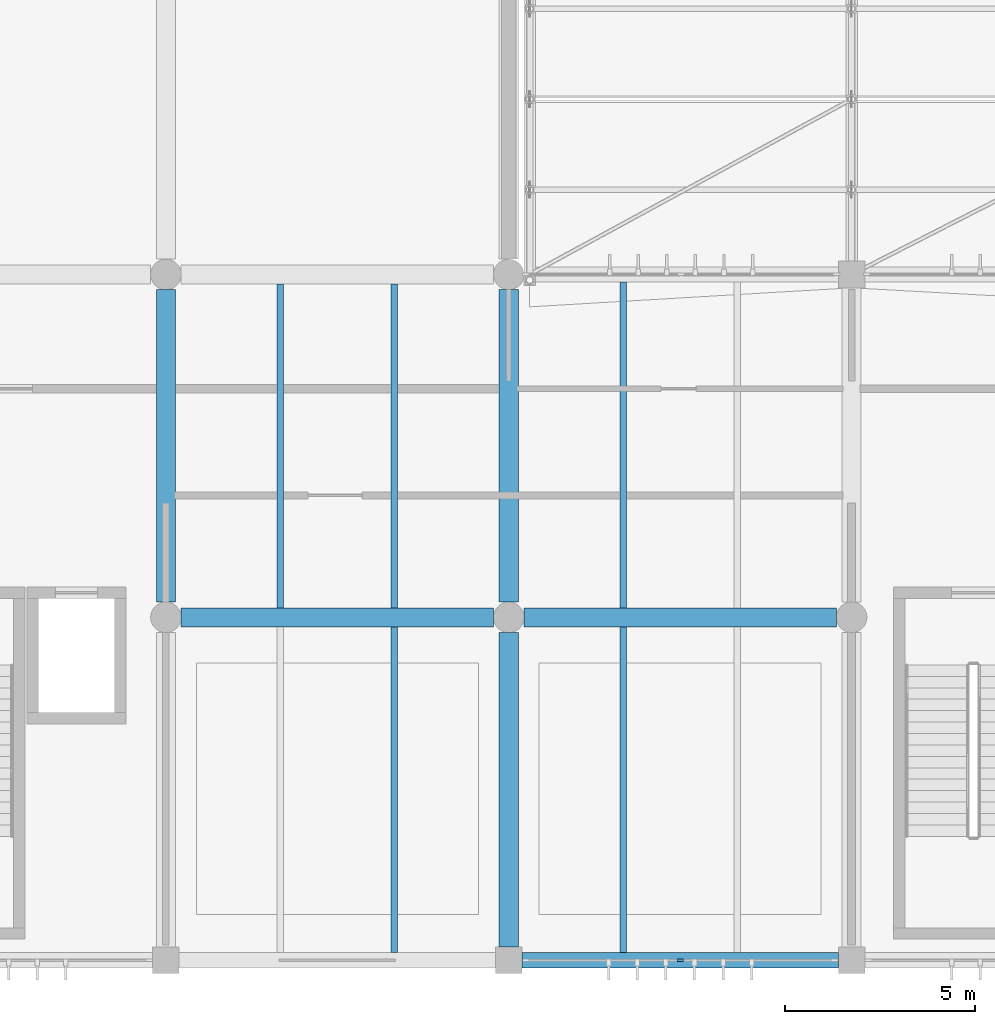
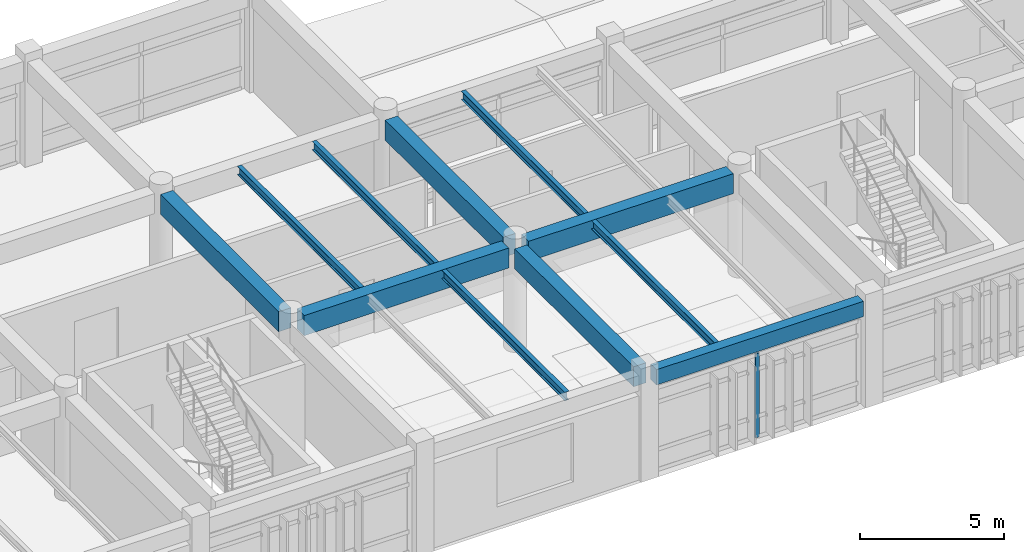
# One storey, part 14 of 90: 11 beams, 1 member, 1 element without a shape of its own.
"""IFC4 building model written with IfcOpenShell, lengths in metres."""

import ifcopenshell
import ifcopenshell.guid

model = None  # the IFC model being written
_history = None  # IfcOwnerHistory: only IFC2X3 demands one
_inside = {}  # id of a spatial element -> (the spatial element, [elements in it])
_under = {}  # id of a project, library or spatial element -> (it, [spatial elements below it])
_declared = {}  # id of a project -> (the project, [libraries it declares])
_typed = {}  # id of a type object -> (the type object, [elements of that type])
_made_of = {}  # id of a material, layer set ... -> (it, [elements and type objects made of it])


def new_model(schema):
    """Start an empty IFC model of exactly this schema.

    Asked for "IFC4X3", IfcOpenShell would pick the latest addendum, in which some entities
    have other attributes; the version numbers below select the first issue.
    IFC2X3 requires an IfcOwnerHistory on every rooted entity: one is made here for all.
    """
    global model, _history
    if schema == "IFC4X3":
        model = ifcopenshell.file(schema_version=(4, 3, 0, 0))
    else:
        model = ifcopenshell.file(schema=schema)
    _inside.clear()
    _under.clear()
    _declared.clear()
    _typed.clear()
    _made_of.clear()
    _history = None
    if model.schema == "IFC2X3":
        org = make("IfcOrganization", Name="unknown")
        user = make(
            "IfcPersonAndOrganization",
            ThePerson=make("IfcPerson", FamilyName="unknown"),
            TheOrganization=org,
        )
        app = make(
            "IfcApplication",
            ApplicationDeveloper=org,
            Version="unknown",
            ApplicationFullName="unknown",
            ApplicationIdentifier="unknown",
        )
        _history = make(
            "IfcOwnerHistory",
            OwningUser=user,
            OwningApplication=app,
            ChangeAction="ADDED",
            CreationDate=0,
        )
    return model


def make(cls, **values):
    """One entity of the class cls with the attributes given. An attribute that is None is left unset."""
    return model.create_entity(
        cls, **{name: value for name, value in values.items() if value is not None}
    )


def rooted(cls, **values):
    """An entity with a GlobalId (a new one), such as an element, a storey or a relation."""
    return make(cls, GlobalId=ifcopenshell.guid.new(), OwnerHistory=_history, **values)


def si_unit(unit_type, name, prefix=None):
    """IfcSIUnit, for example si_unit("LENGTHUNIT", "METRE", prefix="MILLI")."""
    return make("IfcSIUnit", UnitType=unit_type, Prefix=prefix, Name=name)


def assignment(units):
    """IfcUnitAssignment: the units of a project."""
    return None if units is None else make("IfcUnitAssignment", Units=units)


def point(xyz):
    """IfcCartesianPoint."""
    return None if xyz is None else make("IfcCartesianPoint", Coordinates=xyz)


def direction(xyz):
    """IfcDirection."""
    return None if xyz is None else make("IfcDirection", DirectionRatios=xyz)


def frame(location, z_axis=None, x_axis=None):
    """IfcAxis2Placement3D, a coordinate frame: its origin and axes. An axis left out is left unset."""
    return make(
        "IfcAxis2Placement3D",
        Location=point(location),
        Axis=direction(z_axis),
        RefDirection=direction(x_axis),
    )


def frame_2d(location, x_axis=None):
    """IfcAxis2Placement2D, a coordinate frame in the plane: its origin and x axis."""
    return make(
        "IfcAxis2Placement2D", Location=point(location), RefDirection=direction(x_axis)
    )


def origin():
    """The frame at (0, 0, 0) with its axes left unset."""
    return frame((0.0, 0.0, 0.0))


def origin_2d():
    """The frame at (0, 0) in the plane with its x axis left unset."""
    return frame_2d((0.0, 0.0))


def place(relative_to, where):
    """IfcLocalPlacement: puts the frame where relative to a parent placement (None: the world)."""
    return make(
        "IfcLocalPlacement", PlacementRelTo=relative_to, RelativePlacement=where
    )


def context(
    kind, dimensions, precision=None, world=None, true_north=None, identifier=None
):
    """IfcGeometricRepresentationContext, for example the 3D "Model" context."""
    return make(
        "IfcGeometricRepresentationContext",
        ContextIdentifier=identifier,
        ContextType=kind,
        CoordinateSpaceDimension=dimensions,
        Precision=precision,
        WorldCoordinateSystem=world,
        TrueNorth=true_north,
    )


def subcontext(parent, identifier, kind, view, scale=None):
    """IfcGeometricRepresentationSubContext, for example "Body" below "Model"."""
    return make(
        "IfcGeometricRepresentationSubContext",
        ContextIdentifier=identifier,
        ContextType=kind,
        ParentContext=parent,
        TargetScale=scale,
        TargetView=view,
    )


def project(units=None, contexts=None):
    """IfcProject with its units and contexts."""
    return rooted(
        "IfcProject",
        Name="project",
        RepresentationContexts=contexts,
        UnitsInContext=assignment(units),
    )


def spatial(cls, under=None, at=None, **own):
    """A site, building, storey or space (cls), placed at a placement, below another one or the project."""
    s = rooted(cls, ObjectPlacement=at, **own)
    if under is not None:
        _under.setdefault(under.id(), (under, []))[1].append(s)
    return s


def profile(cls, at=None, kind="AREA", **sizes):
    """A parametric profile (cls). Its sizes go by their IFC names, for example OverallWidth=200.0."""
    return make(cls, ProfileType=kind, Position=at, **sizes)


def rectangle(**sizes):
    """IfcRectangleProfileDef."""
    return profile("IfcRectangleProfileDef", **sizes)


def i_section(**sizes):
    """IfcIShapeProfileDef."""
    return profile("IfcIShapeProfileDef", **sizes)


def extrude(swept, where, along, depth):
    """IfcExtrudedAreaSolid: the profile swept, set in the frame where, extruded along a direction by depth."""
    return make(
        "IfcExtrudedAreaSolid",
        SweptArea=swept,
        Position=where,
        ExtrudedDirection=direction(along),
        Depth=depth,
    )


def shape(context_of_items, identifier, shape_type, items):
    """IfcShapeRepresentation: the items that make up one representation, for example the "Body"."""
    return make(
        "IfcShapeRepresentation",
        ContextOfItems=context_of_items,
        RepresentationIdentifier=identifier,
        RepresentationType=shape_type,
        Items=items,
    )


def material(Name=None, Category=None):
    """IfcMaterial."""
    return make("IfcMaterial", Name=Name, Category=Category)


def material_profile(
    of_material, cross_section, Name=None, Category=None, Priority=None
):
    """IfcMaterialProfile: a cross section and its material."""
    return make(
        "IfcMaterialProfile",
        Name=Name,
        Material=of_material,
        Profile=cross_section,
        Priority=Priority,
        Category=Category,
    )


def profile_set(profiles, Name=None, composite=None):
    """IfcMaterialProfileSet."""
    return make(
        "IfcMaterialProfileSet",
        Name=Name,
        MaterialProfiles=profiles,
        CompositeProfile=composite,
    )


def made_of(thing, what):
    """Note that an element or type object is made of a material, layer set ...; save() writes the relation."""
    if what is not None:
        _made_of.setdefault(what.id(), (what, []))[1].append(thing)
    return thing


def type_object(cls, material=None, **own):
    """A type object (cls), such as IfcWallType, which elements share."""
    return made_of(rooted(cls, **own), material)


def element(
    cls,
    number,
    at=None,
    inside=None,
    cuts=None,
    type_object=None,
    material=None,
    context=None,
    identifier="Body",
    shape_type=None,
    held_by="IfcProductDefinitionShape",
    body=None,
    shapes=None,
    **own,
):
    """One element of the class cls, such as IfcWall. Its Tag is "e" and its number.

    at: its placement. inside: the storey or other place that contains it. cuts: it is an
    opening in that element (IfcRelVoidsElement). A single representation is given by context,
    identifier, shape_type and body (its items); several are given by shapes. held_by: the class
    of the entity that holds the representations. save() writes the other relations.
    """
    e = rooted(cls, Tag="e%d" % number, ObjectPlacement=at, **own)
    if body is not None:
        shapes = [shape(context, identifier, shape_type, body)]
    if shapes is not None:
        e.Representation = make(held_by, Representations=shapes)
    if inside is not None:
        _inside.setdefault(inside.id(), (inside, []))[1].append(e)
    if cuts is not None:
        rooted(
            "IfcRelVoidsElement", RelatingBuildingElement=cuts, RelatedOpeningElement=e
        )
    if type_object is not None:
        _typed.setdefault(type_object.id(), (type_object, []))[1].append(e)
    return made_of(e, material)


def aggregate(whole, parts):
    """IfcRelAggregates: a whole, such as a stair, and the parts it consists of."""
    return rooted("IfcRelAggregates", RelatingObject=whole, RelatedObjects=parts)


def save(model, path):
    """Write the relations noted so far, then the file.

    IfcRelAggregates (storeys below a building ...), IfcRelContainedInSpatialStructure (elements
    in a storey), IfcRelDefinesByType, IfcRelAssociatesMaterial and IfcRelDeclares: one each for
    every whole, place, type object, material and project.
    """
    for whole, parts in _under.values():
        aggregate(whole, parts)
    for where, things in _inside.values():
        rooted(
            "IfcRelContainedInSpatialStructure",
            RelatedElements=things,
            RelatingStructure=where,
        )
    for kind, things in _typed.values():
        rooted("IfcRelDefinesByType", RelatedObjects=things, RelatingType=kind)
    for what, things in _made_of.values():
        rooted("IfcRelAssociatesMaterial", RelatedObjects=things, RelatingMaterial=what)
    for by, libraries in _declared.values():
        rooted("IfcRelDeclares", RelatingContext=by, RelatedDefinitions=libraries)
    model.write(path)


model = new_model("IFC4")

# Units and contexts
model_context = context("Model", 3, precision=1e-05, world=origin(), true_north=direction((0.0, 1.0)))
body_context = subcontext(model_context, "Body", "Model", "MODEL_VIEW")
ifc_project = project(units=[si_unit("LENGTHUNIT", "METRE"), si_unit("AREAUNIT", "SQUARE_METRE"), si_unit("VOLUMEUNIT", "CUBIC_METRE"), si_unit("PLANEANGLEUNIT", "RADIAN"), si_unit("MASSUNIT", "GRAM", prefix="KILO")], contexts=[model_context])

# Site, building, storey
site_placement = place(None, origin())
site = spatial("IfcSite", under=ifc_project, at=site_placement, CompositionType="ELEMENT")
building_placement = place(site_placement, origin())
building = spatial("IfcBuilding", under=site, at=building_placement, Name="Bozkorgan Art Gallery", CompositionType="ELEMENT")
storey_placement = place(building_placement, frame((0.0, 0.0, 5.39990234375)))
storey = spatial("IfcBuildingStorey", under=building, at=storey_placement, Name="L01", CompositionType="ELEMENT", Elevation=5.39990234375)

# Beams
ifc_material_1 = material(Name="Concrete C35/45", Category="concrete")
ifc_material_profile_1 = material_profile(ifc_material_1, rectangle(XDim=0.5, YDim=0.85009765625, at=origin_2d()), Name="RC 500x850")
ifc_profile_set_1 = profile_set([ifc_material_profile_1], Name="Concrete C35/45")
beam_type_1 = type_object("IfcBeamType", Name="BEAM-BM-01", PredefinedType="BEAM", material=ifc_profile_set_1)
for number, where, z_axis, x_axis, name in (
    (1, (20.39990234375, 11.0, 4.01513671875), (1.0, 0.0, 0.0), (0.0, 1.0, 0.0), "V1 L01 beam X (20-29, 11.0)"),
    (2, (29.39990234375, 11.0, 4.01513671875), (1.0, 0.0, 0.0), (0.0, 1.0, 0.0), "V1 L01 beam X (29-38, 11.0)"),
    (3, (20.0, 11.39990234375, 4.01513671875), (0.0, 1.0, 0.0), (-1.0, 0.0, 0.0), "V1 L01 beam Y (20, 11.0-20.0)"),
):
    element("IfcBeam", number, at=place(storey_placement, frame(where, z_axis=z_axis, x_axis=x_axis)), inside=storey, type_object=beam_type_1, Name=name, PredefinedType="BEAM", context=body_context, shape_type="SweptSolid", body=[
        extrude(rectangle(XDim=0.5, YDim=0.85009765625, at=origin_2d()), origin(), (0.0, 0.0, 1.0), 8.2001953125),
    ])
beam_1_placement = place(storey_placement, frame((29.0, 2.35009765625, 4.01513671875), z_axis=(0.0, 1.0, 0.0), x_axis=(-1.0, 0.0, 0.0)))
element("IfcBeam", 4, at=beam_1_placement, inside=storey, type_object=beam_type_1, Name="V1 L01 beam Y (29, 2.0-11.0)", PredefinedType="BEAM", context=body_context, shape_type="SweptSolid", body=[
    extrude(rectangle(XDim=0.5, YDim=0.85009765625, at=origin_2d()), origin(), (0.0, 0.0, 1.0), 8.25),
])
beam_2_placement = place(storey_placement, frame((29.0, 11.39990234375, 4.01513671875), z_axis=(0.0, 1.0, 0.0), x_axis=(-1.0, 0.0, 0.0)))
element("IfcBeam", 5, at=beam_2_placement, inside=storey, type_object=beam_type_1, Name="V1 L01 beam Y (29, 11.0-20.0)", PredefinedType="BEAM", context=body_context, shape_type="SweptSolid", body=[
    extrude(rectangle(XDim=0.5, YDim=0.85009765625, at=origin_2d()), origin(), (0.0, 0.0, 1.0), 8.2001953125),
])
ifc_material_2 = material(Name="Steel S355J2", Category="steel")
ifc_material_profile_2 = material_profile(ifc_material_2, i_section(OverallWidth=0.169921875, OverallDepth=0.360107421875, WebThickness=0.008056640625, FlangeThickness=0.0126953125, FilletRadius=0.01806640625, at=origin_2d()), Name="IPE 360")
ifc_profile_set_2 = profile_set([ifc_material_profile_2], Name="Steel S355J2")
beam_type_2 = type_object("IfcBeamType", Name="BEAM-JS-98", PredefinedType="JOIST", material=ifc_profile_set_2)
beam_3_placement = place(storey_placement, frame((26.0, 2.199951171875, 4.260009765625), z_axis=(0.0, 1.0, 0.0), x_axis=(-1.0, 0.0, 0.0)))
element("IfcBeam", 6, at=beam_3_placement, inside=storey, type_object=beam_type_2, Name="V1 L01 secondary joist (20-29, 2.0-11.0) #2", PredefinedType="JOIST", context=body_context, shape_type="SweptSolid", body=[
    extrude(i_section(OverallWidth=0.169921875, OverallDepth=0.360107421875, WebThickness=0.008056640625, FlangeThickness=0.0126953125, FilletRadius=0.01806640625, at=origin_2d()), origin(), (0.0, 0.0, 1.0), 8.550048828125),
])
for number, where, z_axis, x_axis, name in (
    (7, (23.0, 11.25, 4.260009765625), (0.0, 1.0, 0.0), (-1.0, 0.0, 0.0), "V1 L01 secondary joist (20-29, 11.0-20.0) #1"),
    (8, (26.0, 11.25, 4.260009765625), (0.0, 1.0, 0.0), (-1.0, 0.0, 0.0), "V1 L01 secondary joist (20-29, 11.0-20.0) #2"),
):
    element("IfcBeam", number, at=place(storey_placement, frame(where, z_axis=z_axis, x_axis=x_axis)), inside=storey, type_object=beam_type_2, Name=name, PredefinedType="JOIST", context=body_context, shape_type="SweptSolid", body=[
        extrude(i_section(OverallWidth=0.169921875, OverallDepth=0.360107421875, WebThickness=0.008056640625, FlangeThickness=0.0126953125, FilletRadius=0.01806640625, at=origin_2d()), origin(), (0.0, 0.0, 1.0), 8.5),
    ])
for number, where, z_axis, x_axis, name in (
    (9, (32.0, 2.199951171875, 4.260009765625), (0.0, 1.0, 0.0), (-1.0, 0.0, 0.0), "V1 L01 secondary joist (29-38, 2.0-11.0) #1"),
    (10, (32.0, 11.25, 4.260009765625), (0.0, 1.0, 0.0), (-1.0, 0.0, 0.0), "V1 L01 secondary joist (29-38, 11.0-20.0) #1"),
):
    element("IfcBeam", number, at=place(storey_placement, frame(where, z_axis=z_axis, x_axis=x_axis)), inside=storey, type_object=beam_type_2, Name=name, PredefinedType="JOIST", context=body_context, shape_type="SweptSolid", body=[
        extrude(i_section(OverallWidth=0.169921875, OverallDepth=0.360107421875, WebThickness=0.008056640625, FlangeThickness=0.0126953125, FilletRadius=0.01806640625, at=origin_2d()), origin(), (0.0, 0.0, 1.0), 8.550048828125),
    ])
ifc_material_profile_3 = material_profile(ifc_material_1, rectangle(XDim=0.39990234375, YDim=0.64990234375, at=origin_2d()), Name="RC 400x650")
ifc_profile_set_3 = profile_set([ifc_material_profile_3], Name="Concrete C35/45")
beam_type_3 = type_object("IfcBeamType", Name="BEAM-SP-69", PredefinedType="SPANDREL", material=ifc_profile_set_3)
beam_4_placement = place(storey_placement, frame((29.35009765625, 2.0, 4.114990234375), z_axis=(1.0, 0.0, 0.0), x_axis=(0.0, 1.0, 0.0)))
element("IfcBeam", 11, at=beam_4_placement, inside=storey, type_object=beam_type_3, Name="V1 L01 spandrel X (29-38, 2.0)", PredefinedType="SPANDREL", context=body_context, shape_type="SweptSolid", body=[
    extrude(rectangle(XDim=0.39990234375, YDim=0.64990234375, at=origin_2d()), origin(), (0.0, 0.0, 1.0), 8.2998046875),
])

# Curtain wall, member
ifc_material_3 = material(Name="Anodised Bronze Aluminium", Category="aluminium")
curtain_wall_type = type_object("IfcCurtainWallType", Name="CW-CW-94", PredefinedType="NOTDEFINED", material=ifc_material_3)
curtain_wall_placement = place(storey_placement, origin())
curtain_wall = element("IfcCurtainWall", 12, at=curtain_wall_placement, inside=storey, type_object=curtain_wall_type, Name="L01 unitised curtain wall CW-V1-L01-1S-04", PredefinedType="NOTDEFINED")
ifc_material_profile_4 = material_profile(ifc_material_3, rectangle(XDim=0.06494140625, YDim=0.179931640625, at=origin_2d()), Name="ALU MULLION 65x180")
ifc_profile_set_4 = profile_set([ifc_material_profile_4], Name="Anodised Bronze Aluminium")
member_type = type_object("IfcMemberType", Name="CWM-01", PredefinedType="MULLION", material=ifc_profile_set_4)
member_placement = place(storey_placement, frame((33.5, 2.0, 0.02001953125), z_axis=(0.0, 0.0, 1.0), x_axis=(0.0, 1.0, 0.0)))
member = element("IfcMember", 13, at=member_placement, type_object=member_type, Name="CW-94 mullion 2", PredefinedType="MULLION", context=body_context, shape_type="SweptSolid", body=[
    extrude(rectangle(XDim=0.06494140625, YDim=0.179931640625, at=origin_2d()), origin(), (0.0, 0.0, 1.0), 3.55517578125),
])
aggregate(curtain_wall, [member])

save(model, "model.ifc")
